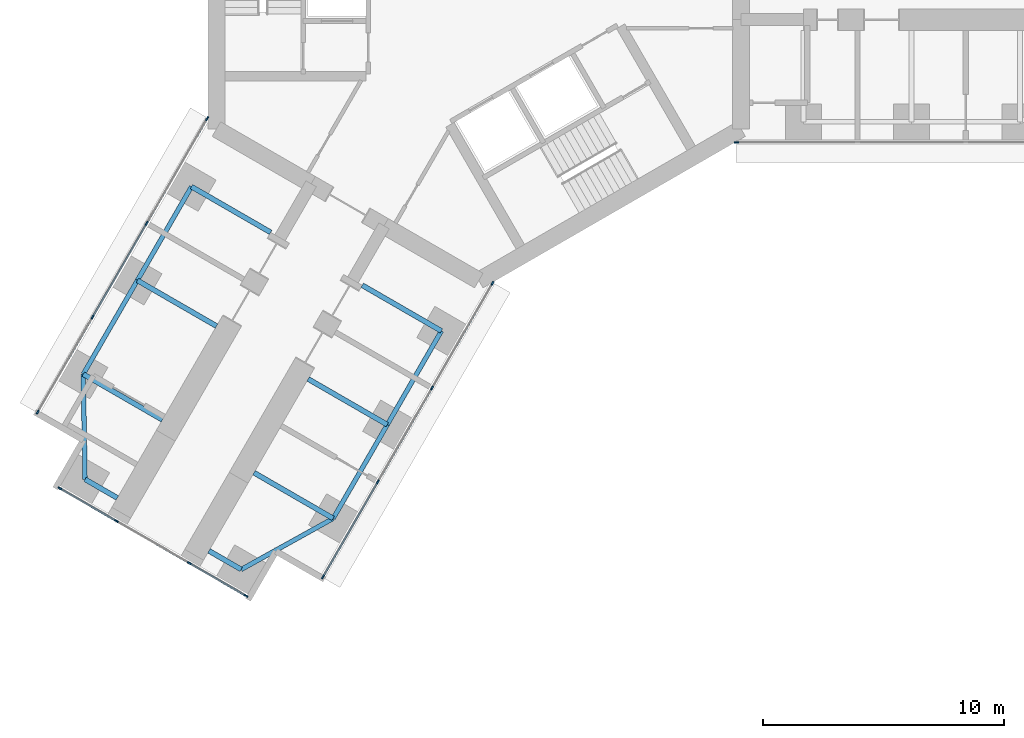
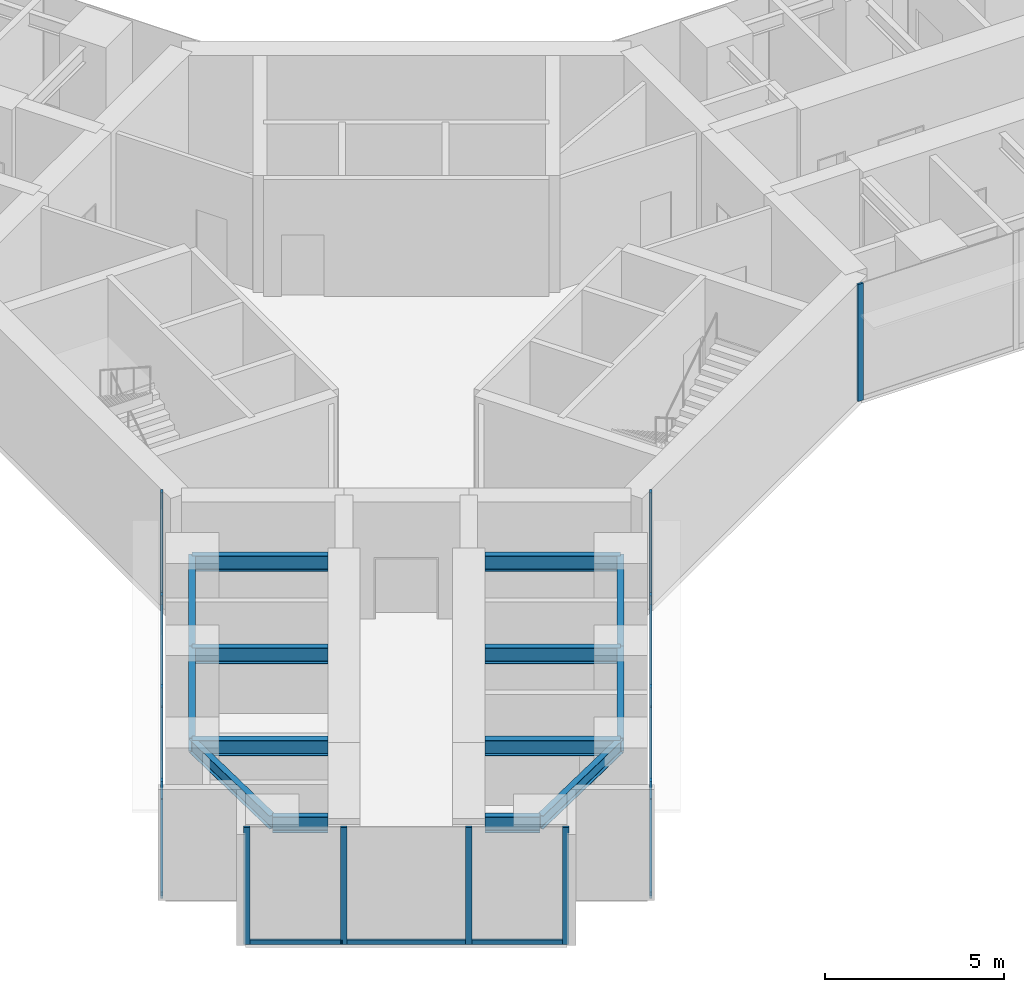
# One storey, part 2 of 22: 22 members, 14 beams, 4 elements without a shape of their own.
"""IFC4 building model written with IfcOpenShell, lengths in metres."""

import ifcopenshell
import ifcopenshell.guid

model = None  # the IFC model being written
_history = None  # IfcOwnerHistory: only IFC2X3 demands one
_inside = {}  # id of a spatial element -> (the spatial element, [elements in it])
_under = {}  # id of a project, library or spatial element -> (it, [spatial elements below it])
_declared = {}  # id of a project -> (the project, [libraries it declares])
_typed = {}  # id of a type object -> (the type object, [elements of that type])
_made_of = {}  # id of a material, layer set ... -> (it, [elements and type objects made of it])


def new_model(schema):
    """Start an empty IFC model of exactly this schema.

    Asked for "IFC4X3", IfcOpenShell would pick the latest addendum, in which some entities
    have other attributes; the version numbers below select the first issue.
    IFC2X3 requires an IfcOwnerHistory on every rooted entity: one is made here for all.
    """
    global model, _history
    if schema == "IFC4X3":
        model = ifcopenshell.file(schema_version=(4, 3, 0, 0))
    else:
        model = ifcopenshell.file(schema=schema)
    _inside.clear()
    _under.clear()
    _declared.clear()
    _typed.clear()
    _made_of.clear()
    _history = None
    if model.schema == "IFC2X3":
        org = make("IfcOrganization", Name="unknown")
        user = make(
            "IfcPersonAndOrganization",
            ThePerson=make("IfcPerson", FamilyName="unknown"),
            TheOrganization=org,
        )
        app = make(
            "IfcApplication",
            ApplicationDeveloper=org,
            Version="unknown",
            ApplicationFullName="unknown",
            ApplicationIdentifier="unknown",
        )
        _history = make(
            "IfcOwnerHistory",
            OwningUser=user,
            OwningApplication=app,
            ChangeAction="ADDED",
            CreationDate=0,
        )
    return model


def make(cls, **values):
    """One entity of the class cls with the attributes given. An attribute that is None is left unset."""
    return model.create_entity(
        cls, **{name: value for name, value in values.items() if value is not None}
    )


def rooted(cls, **values):
    """An entity with a GlobalId (a new one), such as an element, a storey or a relation."""
    return make(cls, GlobalId=ifcopenshell.guid.new(), OwnerHistory=_history, **values)


def si_unit(unit_type, name, prefix=None):
    """IfcSIUnit, for example si_unit("LENGTHUNIT", "METRE", prefix="MILLI")."""
    return make("IfcSIUnit", UnitType=unit_type, Prefix=prefix, Name=name)


def assignment(units):
    """IfcUnitAssignment: the units of a project."""
    return None if units is None else make("IfcUnitAssignment", Units=units)


def point(xyz):
    """IfcCartesianPoint."""
    return None if xyz is None else make("IfcCartesianPoint", Coordinates=xyz)


def direction(xyz):
    """IfcDirection."""
    return None if xyz is None else make("IfcDirection", DirectionRatios=xyz)


def frame(location, z_axis=None, x_axis=None):
    """IfcAxis2Placement3D, a coordinate frame: its origin and axes. An axis left out is left unset."""
    return make(
        "IfcAxis2Placement3D",
        Location=point(location),
        Axis=direction(z_axis),
        RefDirection=direction(x_axis),
    )


def frame_2d(location, x_axis=None):
    """IfcAxis2Placement2D, a coordinate frame in the plane: its origin and x axis."""
    return make(
        "IfcAxis2Placement2D", Location=point(location), RefDirection=direction(x_axis)
    )


def origin():
    """The frame at (0, 0, 0) with its axes left unset."""
    return frame((0.0, 0.0, 0.0))


def origin_2d():
    """The frame at (0, 0) in the plane with its x axis left unset."""
    return frame_2d((0.0, 0.0))


def place(relative_to, where):
    """IfcLocalPlacement: puts the frame where relative to a parent placement (None: the world)."""
    return make(
        "IfcLocalPlacement", PlacementRelTo=relative_to, RelativePlacement=where
    )


def context(
    kind, dimensions, precision=None, world=None, true_north=None, identifier=None
):
    """IfcGeometricRepresentationContext, for example the 3D "Model" context."""
    return make(
        "IfcGeometricRepresentationContext",
        ContextIdentifier=identifier,
        ContextType=kind,
        CoordinateSpaceDimension=dimensions,
        Precision=precision,
        WorldCoordinateSystem=world,
        TrueNorth=true_north,
    )


def subcontext(parent, identifier, kind, view, scale=None):
    """IfcGeometricRepresentationSubContext, for example "Body" below "Model"."""
    return make(
        "IfcGeometricRepresentationSubContext",
        ContextIdentifier=identifier,
        ContextType=kind,
        ParentContext=parent,
        TargetScale=scale,
        TargetView=view,
    )


def project(units=None, contexts=None):
    """IfcProject with its units and contexts."""
    return rooted(
        "IfcProject",
        Name="project",
        RepresentationContexts=contexts,
        UnitsInContext=assignment(units),
    )


def spatial(cls, under=None, at=None, **own):
    """A site, building, storey or space (cls), placed at a placement, below another one or the project."""
    s = rooted(cls, ObjectPlacement=at, **own)
    if under is not None:
        _under.setdefault(under.id(), (under, []))[1].append(s)
    return s


def profile(cls, at=None, kind="AREA", **sizes):
    """A parametric profile (cls). Its sizes go by their IFC names, for example OverallWidth=200.0."""
    return make(cls, ProfileType=kind, Position=at, **sizes)


def rectangle(**sizes):
    """IfcRectangleProfileDef."""
    return profile("IfcRectangleProfileDef", **sizes)


def i_section(**sizes):
    """IfcIShapeProfileDef."""
    return profile("IfcIShapeProfileDef", **sizes)


def extrude(swept, where, along, depth):
    """IfcExtrudedAreaSolid: the profile swept, set in the frame where, extruded along a direction by depth."""
    return make(
        "IfcExtrudedAreaSolid",
        SweptArea=swept,
        Position=where,
        ExtrudedDirection=direction(along),
        Depth=depth,
    )


def shape(context_of_items, identifier, shape_type, items):
    """IfcShapeRepresentation: the items that make up one representation, for example the "Body"."""
    return make(
        "IfcShapeRepresentation",
        ContextOfItems=context_of_items,
        RepresentationIdentifier=identifier,
        RepresentationType=shape_type,
        Items=items,
    )


def material(Name=None, Category=None):
    """IfcMaterial."""
    return make("IfcMaterial", Name=Name, Category=Category)


def material_profile(
    of_material, cross_section, Name=None, Category=None, Priority=None
):
    """IfcMaterialProfile: a cross section and its material."""
    return make(
        "IfcMaterialProfile",
        Name=Name,
        Material=of_material,
        Profile=cross_section,
        Priority=Priority,
        Category=Category,
    )


def profile_set(profiles, Name=None, composite=None):
    """IfcMaterialProfileSet."""
    return make(
        "IfcMaterialProfileSet",
        Name=Name,
        MaterialProfiles=profiles,
        CompositeProfile=composite,
    )


def made_of(thing, what):
    """Note that an element or type object is made of a material, layer set ...; save() writes the relation."""
    if what is not None:
        _made_of.setdefault(what.id(), (what, []))[1].append(thing)
    return thing


def type_object(cls, material=None, **own):
    """A type object (cls), such as IfcWallType, which elements share."""
    return made_of(rooted(cls, **own), material)


def element(
    cls,
    number,
    at=None,
    inside=None,
    cuts=None,
    type_object=None,
    material=None,
    context=None,
    identifier="Body",
    shape_type=None,
    held_by="IfcProductDefinitionShape",
    body=None,
    shapes=None,
    **own,
):
    """One element of the class cls, such as IfcWall. Its Tag is "e" and its number.

    at: its placement. inside: the storey or other place that contains it. cuts: it is an
    opening in that element (IfcRelVoidsElement). A single representation is given by context,
    identifier, shape_type and body (its items); several are given by shapes. held_by: the class
    of the entity that holds the representations. save() writes the other relations.
    """
    e = rooted(cls, Tag="e%d" % number, ObjectPlacement=at, **own)
    if body is not None:
        shapes = [shape(context, identifier, shape_type, body)]
    if shapes is not None:
        e.Representation = make(held_by, Representations=shapes)
    if inside is not None:
        _inside.setdefault(inside.id(), (inside, []))[1].append(e)
    if cuts is not None:
        rooted(
            "IfcRelVoidsElement", RelatingBuildingElement=cuts, RelatedOpeningElement=e
        )
    if type_object is not None:
        _typed.setdefault(type_object.id(), (type_object, []))[1].append(e)
    return made_of(e, material)


def aggregate(whole, parts):
    """IfcRelAggregates: a whole, such as a stair, and the parts it consists of."""
    return rooted("IfcRelAggregates", RelatingObject=whole, RelatedObjects=parts)


def save(model, path):
    """Write the relations noted so far, then the file.

    IfcRelAggregates (storeys below a building ...), IfcRelContainedInSpatialStructure (elements
    in a storey), IfcRelDefinesByType, IfcRelAssociatesMaterial and IfcRelDeclares: one each for
    every whole, place, type object, material and project.
    """
    for whole, parts in _under.values():
        aggregate(whole, parts)
    for where, things in _inside.values():
        rooted(
            "IfcRelContainedInSpatialStructure",
            RelatedElements=things,
            RelatingStructure=where,
        )
    for kind, things in _typed.values():
        rooted("IfcRelDefinesByType", RelatedObjects=things, RelatingType=kind)
    for what, things in _made_of.values():
        rooted("IfcRelAssociatesMaterial", RelatedObjects=things, RelatingMaterial=what)
    for by, libraries in _declared.values():
        rooted("IfcRelDeclares", RelatingContext=by, RelatedDefinitions=libraries)
    model.write(path)


model = new_model("IFC4")

# Units and contexts
model_context = context("Model", 3, precision=1e-05, world=origin(), true_north=direction((0.0, 1.0)))
body_context = subcontext(model_context, "Body", "Model", "MODEL_VIEW")
ifc_project = project(units=[si_unit("LENGTHUNIT", "METRE"), si_unit("AREAUNIT", "SQUARE_METRE"), si_unit("VOLUMEUNIT", "CUBIC_METRE"), si_unit("PLANEANGLEUNIT", "RADIAN"), si_unit("MASSUNIT", "GRAM", prefix="KILO")], contexts=[model_context])

# Site, building, storey
site_placement = place(None, origin())
site = spatial("IfcSite", under=ifc_project, at=site_placement, CompositionType="ELEMENT")
building_placement = place(site_placement, origin())
building = spatial("IfcBuilding", under=site, at=building_placement, Name="Upepo Twin Towers", CompositionType="ELEMENT")
storey_placement = place(building_placement, frame((0.0, 0.0, 36.5)))
storey = spatial("IfcBuildingStorey", under=building, at=storey_placement, Name="L08", CompositionType="ELEMENT", Elevation=36.5)

# Beams
ifc_material_1 = material(Name="Steel S355", Category="steel")
ifc_material_profile_1 = material_profile(ifc_material_1, i_section(OverallWidth=0.1904296875, OverallDepth=0.45703125, WebThickness=0.009033203125, FlangeThickness=0.014404296875, FilletRadius=0.01025390625, at=origin_2d()), Name="UB 457x191x74")
ifc_profile_set_1 = profile_set([ifc_material_profile_1], Name="Steel S355")
beam_type_1 = type_object("IfcBeamType", Name="Beam UB 457x191x74", PredefinedType="BEAM", material=ifc_profile_set_1)
beam_1_placement = place(storey_placement, frame((-1.553955078125, -14.69140625, 3.571533203125), z_axis=(-0.500013631625, -0.866017533419, 0.0), x_axis=(0.866017533419, -0.500013631625, 0.0)))
element("IfcBeam", 1, at=beam_1_placement, inside=storey, type_object=beam_type_1, Name="T1 edge beam CL 13.5-18.0", PredefinedType="BEAM", context=body_context, shape_type="SweptSolid", body=[
    extrude(i_section(OverallWidth=0.1904296875, OverallDepth=0.45703125, WebThickness=0.009033203125, FlangeThickness=0.014404296875, FilletRadius=0.01025390625, at=origin_2d()), origin(), (0.0, 0.0, 1.0), 4.499755859375),
])
beam_2_placement = place(storey_placement, frame((-3.803955078125, -18.58837890625, 3.571533203125), z_axis=(-0.499990139034, -0.866031096941, 0.0), x_axis=(0.866031096941, -0.499990139034, 0.0)))
element("IfcBeam", 2, at=beam_2_placement, inside=storey, type_object=beam_type_1, Name="T1 edge beam CL 18.0-22.5", PredefinedType="BEAM", context=body_context, shape_type="SweptSolid", body=[
    extrude(i_section(OverallWidth=0.1904296875, OverallDepth=0.45703125, WebThickness=0.009033203125, FlangeThickness=0.014404296875, FilletRadius=0.01025390625, at=origin_2d()), origin(), (0.0, 0.0, 1.0), 4.5),
])
beam_3_placement = place(storey_placement, frame((-6.053955078125, -22.485595703125, 3.571533203125), z_axis=(-0.874312600038, -0.485363242752, 0.0), x_axis=(0.485363242752, -0.874312600038, 0.0)))
element("IfcBeam", 3, at=beam_3_placement, inside=storey, type_object=beam_type_1, Name="T1 nose edge beam CL", PredefinedType="BEAM", context=body_context, shape_type="SweptSolid", body=[
    extrude(i_section(OverallWidth=0.1904296875, OverallDepth=0.45703125, WebThickness=0.009033203125, FlangeThickness=0.014404296875, FilletRadius=0.01025390625, at=origin_2d()), origin(), (0.0, 0.0, 1.0), 4.373046875),
])
beam_4_placement = place(storey_placement, frame((-11.946044921875, -8.69140625, 3.571533203125), z_axis=(-0.500013631625, -0.866017533419, 0.0), x_axis=(0.866017533419, -0.500013631625, 0.0)))
element("IfcBeam", 4, at=beam_4_placement, inside=storey, type_object=beam_type_1, Name="T1 edge beam CR 13.5-18.0", PredefinedType="BEAM", context=body_context, shape_type="SweptSolid", body=[
    extrude(i_section(OverallWidth=0.1904296875, OverallDepth=0.45703125, WebThickness=0.009033203125, FlangeThickness=0.014404296875, FilletRadius=0.01025390625, at=origin_2d()), origin(), (0.0, 0.0, 1.0), 4.499755859375),
])
beam_5_placement = place(storey_placement, frame((-14.196044921875, -12.58837890625, 3.571533203125), z_axis=(-0.499990139034, -0.866031096941, 0.0), x_axis=(0.866031096941, -0.499990139034, 0.0)))
element("IfcBeam", 5, at=beam_5_placement, inside=storey, type_object=beam_type_1, Name="T1 edge beam CR 18.0-22.5", PredefinedType="BEAM", context=body_context, shape_type="SweptSolid", body=[
    extrude(i_section(OverallWidth=0.1904296875, OverallDepth=0.45703125, WebThickness=0.009033203125, FlangeThickness=0.014404296875, FilletRadius=0.01025390625, at=origin_2d()), origin(), (0.0, 0.0, 1.0), 4.5),
])
beam_6_placement = place(storey_placement, frame((-16.446044921875, -16.485595703125, 3.571533203125), z_axis=(0.016803880528, -0.999858804832, 0.0), x_axis=(0.999858804832, 0.016803880528, 0.0)))
element("IfcBeam", 6, at=beam_6_placement, inside=storey, type_object=beam_type_1, Name="T1 nose edge beam CR", PredefinedType="BEAM", context=body_context, shape_type="SweptSolid", body=[
    extrude(i_section(OverallWidth=0.1904296875, OverallDepth=0.45703125, WebThickness=0.009033203125, FlangeThickness=0.014404296875, FilletRadius=0.01025390625, at=origin_2d()), origin(), (0.0, 0.0, 1.0), 4.373291015625),
])
ifc_material_2 = material(Name="Steel S355", Category="steel")
ifc_material_profile_2 = material_profile(ifc_material_2, i_section(OverallWidth=0.2099609375, OverallDepth=0.53662109375, WebThickness=0.0107421875, FlangeThickness=0.017333984375, FilletRadius=0.0126953125, at=origin_2d()), Name="UB 533x210x101")
ifc_profile_set_2 = profile_set([ifc_material_profile_2], Name="Steel S355")
beam_type_2 = type_object("IfcBeamType", Name="Beam UB 533x210x101", PredefinedType="BEAM", material=ifc_profile_set_2)
for number, where, z_axis, x_axis, name in (
    (7, (-9.87744140625, -24.608154296875, 3.53173828125), (-0.866043940782, 0.499967891604, 0.0), (-0.499967891604, -0.866043940782, 0.0), "T1 nose beam CL"),
    (8, (-16.37255859375, -20.858154296875, 3.53173828125), (0.866043940782, -0.499967891604, 0.0), (0.499967891604, 0.866043940782, 0.0), "T1 nose beam CR"),
):
    element("IfcBeam", number, at=place(storey_placement, frame(where, z_axis=z_axis, x_axis=x_axis)), inside=storey, type_object=beam_type_2, Name=name, PredefinedType="BEAM", context=body_context, shape_type="SweptSolid", body=[
        extrude(i_section(OverallWidth=0.2099609375, OverallDepth=0.53662109375, WebThickness=0.0107421875, FlangeThickness=0.017333984375, FilletRadius=0.0126953125, at=origin_2d()), origin(), (0.0, 0.0, 1.0), 1.5498046875),
    ])
ifc_material_3 = material(Name="Steel S355", Category="steel")
ifc_material_profile_3 = material_profile(ifc_material_3, i_section(OverallWidth=0.209228515625, OverallDepth=0.533203125, WebThickness=0.010009765625, FlangeThickness=0.015625, FilletRadius=0.0126953125, at=origin_2d()), Name="UB 533x210x92")
ifc_profile_set_3 = profile_set([ifc_material_profile_3], Name="Steel S355")
beam_type_3 = type_object("IfcBeamType", Name="Beam UB 533x210x92", PredefinedType="BEAM", material=ifc_profile_set_3)
beam_7_placement = place(storey_placement, frame((-1.553955078125, -14.69140625, 3.533447265625), z_axis=(-0.866000483506, 0.500043160704, 0.0), x_axis=(-0.500043160704, -0.866000483506, 0.0)))
element("IfcBeam", 9, at=beam_7_placement, inside=storey, type_object=beam_type_3, Name="T1 girder CL at 13.5", PredefinedType="BEAM", context=body_context, shape_type="SweptSolid", body=[
    extrude(i_section(OverallWidth=0.209228515625, OverallDepth=0.533203125, WebThickness=0.010009765625, FlangeThickness=0.015625, FilletRadius=0.0126953125, at=origin_2d()), origin(), (0.0, 0.0, 1.0), 3.800048828125),
])
for number, where, z_axis, x_axis, name in (
    (10, (-3.803955078125, -18.58837890625, 3.533447265625), (-0.866028304915, 0.499994975061, 0.0), (-0.499994975061, -0.866028304915, 0.0), "T1 girder CL at 18.0"),
    (11, (-6.053955078125, -22.485595703125, 3.533447265625), (-0.866028304915, 0.499994975061, 0.0), (-0.499994975061, -0.866028304915, 0.0), "T1 girder CL at 22.5"),
    (12, (-11.946044921875, -8.69140625, 3.533447265625), (0.866028304915, -0.499994975061, 0.0), (0.499994975061, 0.866028304915, 0.0), "T1 girder CR at 13.5"),
):
    element("IfcBeam", number, at=place(storey_placement, frame(where, z_axis=z_axis, x_axis=x_axis)), inside=storey, type_object=beam_type_3, Name=name, PredefinedType="BEAM", context=body_context, shape_type="SweptSolid", body=[
        extrude(i_section(OverallWidth=0.209228515625, OverallDepth=0.533203125, WebThickness=0.010009765625, FlangeThickness=0.015625, FilletRadius=0.0126953125, at=origin_2d()), origin(), (0.0, 0.0, 1.0), 3.7998046875),
    ])
beam_8_placement = place(storey_placement, frame((-14.196044921875, -12.58837890625, 3.533447265625), z_axis=(0.866000483506, -0.500043160704, 0.0), x_axis=(0.500043160704, 0.866000483506, 0.0)))
element("IfcBeam", 13, at=beam_8_placement, inside=storey, type_object=beam_type_3, Name="T1 girder CR at 18.0", PredefinedType="BEAM", context=body_context, shape_type="SweptSolid", body=[
    extrude(i_section(OverallWidth=0.209228515625, OverallDepth=0.533203125, WebThickness=0.010009765625, FlangeThickness=0.015625, FilletRadius=0.0126953125, at=origin_2d()), origin(), (0.0, 0.0, 1.0), 3.800048828125),
])
beam_9_placement = place(storey_placement, frame((-16.446044921875, -16.485595703125, 3.533447265625), z_axis=(0.866028304915, -0.499994975061, 0.0), x_axis=(0.499994975061, 0.866028304915, 0.0)))
element("IfcBeam", 14, at=beam_9_placement, inside=storey, type_object=beam_type_3, Name="T1 girder CR at 22.5", PredefinedType="BEAM", context=body_context, shape_type="SweptSolid", body=[
    extrude(i_section(OverallWidth=0.209228515625, OverallDepth=0.533203125, WebThickness=0.010009765625, FlangeThickness=0.015625, FilletRadius=0.0126953125, at=origin_2d()), origin(), (0.0, 0.0, 1.0), 3.7998046875),
])

# Curtain wall, member
ifc_material_4 = material(Name="Aluminium and fritted glass", Category="aluminium")
curtain_wall_type = type_object("IfcCurtainWallType", Name="Tower curtain wall TW1, fritted glass", PredefinedType="NOTDEFINED", material=ifc_material_4)
curtain_wall_1_placement = place(storey_placement, origin())
curtain_wall_1 = element("IfcCurtainWall", 15, at=curtain_wall_1_placement, inside=storey, type_object=curtain_wall_type, Name="T1 L08 wing A flank R curtain wall", PredefinedType="NOTDEFINED")
ifc_material_5 = material(Name="Aluminium mullion", Category="aluminium")
ifc_material_profile_4 = material_profile(ifc_material_5, rectangle(XDim=0.06494140625, YDim=0.179931640625, at=origin_2d()), Name="MULLION 65x180")
ifc_profile_set_4 = profile_set([ifc_material_profile_4], Name="Aluminium mullion")
member_type_1 = type_object("IfcMemberType", Name="Mullion 65x180 TW1", PredefinedType="MULLION", material=ifc_profile_set_4)
member_1_placement = place(storey_placement, frame((10.7197265625, -6.85009765625, 0.0), z_axis=(0.0, 0.0, 1.0), x_axis=(0.0, -1.0, 0.0)))
member_1 = element("IfcMember", 16, at=member_1_placement, type_object=member_type_1, Name="T1 L08 wing A flank R curtain wall mullion 4", PredefinedType="MULLION", context=body_context, shape_type="SweptSolid", body=[
    extrude(rectangle(XDim=0.06494140625, YDim=0.179931640625, at=origin_2d()), origin(), (0.0, 0.0, 1.0), 4.0),
])
aggregate(curtain_wall_1, [member_1])

# Curtain wall, members
curtain_wall_2_placement = place(storey_placement, origin())
curtain_wall_2 = element("IfcCurtainWall", 17, at=curtain_wall_2_placement, inside=storey, type_object=curtain_wall_type, Name="T1 L08 wing C flank L curtain wall", PredefinedType="NOTDEFINED")
member_2_placement = place(storey_placement, frame((0.572509765625, -12.70849609375, 0.0), z_axis=(0.0, 0.0, 1.0), x_axis=(0.866025389682, -0.500000024426, 0.0)))
member_2 = element("IfcMember", 18, at=member_2_placement, type_object=member_type_1, Name="T1 L08 wing C flank L curtain wall mullion 1", PredefinedType="MULLION", context=body_context, shape_type="SweptSolid", body=[
    extrude(rectangle(XDim=0.06494140625, YDim=0.179931640625, at=origin_2d()), origin(), (0.0, 0.0, 1.0), 4.0),
])
member_3_placement = place(storey_placement, frame((-1.942626953125, -17.06494140625, 0.0), z_axis=(0.0, 0.0, 1.0), x_axis=(0.866025389682, -0.500000024426, 0.0)))
member_3 = element("IfcMember", 19, at=member_3_placement, type_object=member_type_1, Name="T1 L08 wing C flank L curtain wall mullion 2", PredefinedType="MULLION", context=body_context, shape_type="SweptSolid", body=[
    extrude(rectangle(XDim=0.06494140625, YDim=0.179931640625, at=origin_2d()), origin(), (0.0, 0.0, 1.0), 4.0),
])
member_4_placement = place(storey_placement, frame((-4.192626953125, -20.9619140625, 0.0), z_axis=(0.0, 0.0, 1.0), x_axis=(0.866025389682, -0.500000024426, 0.0)))
member_4 = element("IfcMember", 20, at=member_4_placement, type_object=member_type_1, Name="T1 L08 wing C flank L curtain wall mullion 3", PredefinedType="MULLION", context=body_context, shape_type="SweptSolid", body=[
    extrude(rectangle(XDim=0.06494140625, YDim=0.179931640625, at=origin_2d()), origin(), (0.0, 0.0, 1.0), 4.0),
])
member_5_placement = place(storey_placement, frame((-6.4765625, -24.91748046875, 0.0), z_axis=(0.0, 0.0, 1.0), x_axis=(0.866025389682, -0.500000024426, 0.0)))
member_5 = element("IfcMember", 21, at=member_5_placement, type_object=member_type_1, Name="T1 L08 wing C flank L curtain wall mullion 4", PredefinedType="MULLION", context=body_context, shape_type="SweptSolid", body=[
    extrude(rectangle(XDim=0.06494140625, YDim=0.179931640625, at=origin_2d()), origin(), (0.0, 0.0, 1.0), 4.0),
])

curtain_wall_3_placement = place(storey_placement, origin())
curtain_wall_3 = element("IfcCurtainWall", 22, at=curtain_wall_3_placement, inside=storey, type_object=curtain_wall_type, Name="T1 L08 wing C flank R curtain wall", PredefinedType="NOTDEFINED")
member_6_placement = place(storey_placement, frame((-18.341064453125, -18.067626953125, 0.0), z_axis=(0.0, 0.0, 1.0), x_axis=(-0.866025389682, 0.500000024426, 0.0)))
member_6 = element("IfcMember", 23, at=member_6_placement, type_object=member_type_1, Name="T1 L08 wing C flank R curtain wall mullion 1", PredefinedType="MULLION", context=body_context, shape_type="SweptSolid", body=[
    extrude(rectangle(XDim=0.06494140625, YDim=0.179931640625, at=origin_2d()), origin(), (0.0, 0.0, 1.0), 4.0),
])
member_7_placement = place(storey_placement, frame((-16.057373046875, -14.112060546875, 0.0), z_axis=(0.0, 0.0, 1.0), x_axis=(-0.866025389682, 0.500000024426, 0.0)))
member_7 = element("IfcMember", 24, at=member_7_placement, type_object=member_type_1, Name="T1 L08 wing C flank R curtain wall mullion 2", PredefinedType="MULLION", context=body_context, shape_type="SweptSolid", body=[
    extrude(rectangle(XDim=0.06494140625, YDim=0.179931640625, at=origin_2d()), origin(), (0.0, 0.0, 1.0), 4.0),
])
member_8_placement = place(storey_placement, frame((-13.807373046875, -10.21484375, 0.0), z_axis=(0.0, 0.0, 1.0), x_axis=(-0.866025389682, 0.500000024426, 0.0)))
member_8 = element("IfcMember", 25, at=member_8_placement, type_object=member_type_1, Name="T1 L08 wing C flank R curtain wall mullion 3", PredefinedType="MULLION", context=body_context, shape_type="SweptSolid", body=[
    extrude(rectangle(XDim=0.06494140625, YDim=0.179931640625, at=origin_2d()), origin(), (0.0, 0.0, 1.0), 4.0),
])
member_9_placement = place(storey_placement, frame((-11.2919921875, -5.8583984375, 0.0), z_axis=(0.0, 0.0, 1.0), x_axis=(-0.866025389682, 0.500000024426, 0.0)))
member_9 = element("IfcMember", 26, at=member_9_placement, type_object=member_type_1, Name="T1 L08 wing C flank R curtain wall mullion 4", PredefinedType="MULLION", context=body_context, shape_type="SweptSolid", body=[
    extrude(rectangle(XDim=0.06494140625, YDim=0.179931640625, at=origin_2d()), origin(), (0.0, 0.0, 1.0), 4.0),
])

curtain_wall_4_placement = place(storey_placement, origin())
curtain_wall_4 = element("IfcCurtainWall", 27, at=curtain_wall_4_placement, inside=storey, type_object=curtain_wall_type, Name="T1 L08 wing C nose curtain wall", PredefinedType="NOTDEFINED")
member_10_placement = place(storey_placement, frame((-17.4189453125, -21.235595703125, 0.0), z_axis=(0.0, 0.0, 1.0), x_axis=(0.500000030502, 0.866025386174, 0.0)))
member_10 = element("IfcMember", 28, at=member_10_placement, type_object=member_type_1, Name="T1 L08 wing C nose curtain wall mullion 1", PredefinedType="MULLION", context=body_context, shape_type="SweptSolid", body=[
    extrude(rectangle(XDim=0.06494140625, YDim=0.179931640625, at=origin_2d()), origin(), (0.0, 0.0, 1.0), 4.0),
])
member_11_placement = place(storey_placement, frame((-15.0654296875, -22.59423828125, 0.0), z_axis=(0.0, 0.0, 1.0), x_axis=(0.500000030502, 0.866025386174, 0.0)))
member_11 = element("IfcMember", 29, at=member_11_placement, type_object=member_type_1, Name="T1 L08 wing C nose curtain wall mullion 2", PredefinedType="MULLION", context=body_context, shape_type="SweptSolid", body=[
    extrude(rectangle(XDim=0.06494140625, YDim=0.179931640625, at=origin_2d()), origin(), (0.0, 0.0, 1.0), 4.0),
])
member_12_placement = place(storey_placement, frame((-12.034423828125, -24.34423828125, 0.0), z_axis=(0.0, 0.0, 1.0), x_axis=(0.500000030502, 0.866025386174, 0.0)))
member_12 = element("IfcMember", 30, at=member_12_placement, type_object=member_type_1, Name="T1 L08 wing C nose curtain wall mullion 3", PredefinedType="MULLION", context=body_context, shape_type="SweptSolid", body=[
    extrude(rectangle(XDim=0.06494140625, YDim=0.179931640625, at=origin_2d()), origin(), (0.0, 0.0, 1.0), 4.0),
])
member_13_placement = place(storey_placement, frame((-9.68115234375, -25.703125, 0.0), z_axis=(0.0, 0.0, 1.0), x_axis=(0.500000030502, 0.866025386174, 0.0)))
member_13 = element("IfcMember", 31, at=member_13_placement, type_object=member_type_1, Name="T1 L08 wing C nose curtain wall mullion 4", PredefinedType="MULLION", context=body_context, shape_type="SweptSolid", body=[
    extrude(rectangle(XDim=0.06494140625, YDim=0.179931640625, at=origin_2d()), origin(), (0.0, 0.0, 1.0), 4.0),
])

# Member
ifc_material_6 = material(Name="Aluminium transom", Category="aluminium")
ifc_material_profile_5 = material_profile(ifc_material_6, rectangle(XDim=0.06494140625, YDim=0.14990234375, at=origin_2d()), Name="TRANSOM 65x150")
ifc_profile_set_5 = profile_set([ifc_material_profile_5], Name="Aluminium transom")
member_type_2 = type_object("IfcMemberType", Name="Transom 65x150 TW1", PredefinedType="USERDEFINED", material=ifc_profile_set_5)
member_14_placement = place(storey_placement, frame((0.55615234375, -12.736572265625, 0.074951171875), z_axis=(-0.499983492876, -0.866034933967, 0.0), x_axis=(0.866034933967, -0.499983492876, 0.0)))
member_14 = element("IfcMember", 32, at=member_14_placement, type_object=member_type_2, Name="T1 L08 wing C flank L curtain wall transom 1", ObjectType="TRANSOM", PredefinedType="USERDEFINED", context=body_context, shape_type="SweptSolid", body=[
    extrude(rectangle(XDim=0.06494140625, YDim=0.14990234375, at=origin_2d()), origin(), (0.0, 0.0, 1.0), 4.965576171875),
])

member_15_placement = place(storey_placement, frame((-1.958984375, -17.093017578125, 0.074951171875), z_axis=(-0.500005184116, -0.866022410713, 0.0), x_axis=(0.866022410713, -0.500005184116, 0.0)))
member_15 = element("IfcMember", 33, at=member_15_placement, type_object=member_type_2, Name="T1 L08 wing C flank L curtain wall transom 2", ObjectType="TRANSOM", PredefinedType="USERDEFINED", context=body_context, shape_type="SweptSolid", body=[
    extrude(rectangle(XDim=0.06494140625, YDim=0.14990234375, at=origin_2d()), origin(), (0.0, 0.0, 1.0), 4.43505859375),
])

member_16_placement = place(storey_placement, frame((-4.208984375, -20.990234375, 0.074951171875), z_axis=(-0.500005646842, -0.866022143554, 0.0), x_axis=(0.866022143554, -0.500005646842, 0.0)))
member_16 = element("IfcMember", 34, at=member_16_placement, type_object=member_type_2, Name="T1 L08 wing C flank L curtain wall transom 3", ObjectType="TRANSOM", PredefinedType="USERDEFINED", context=body_context, shape_type="SweptSolid", body=[
    extrude(rectangle(XDim=0.06494140625, YDim=0.14990234375, at=origin_2d()), origin(), (0.0, 0.0, 1.0), 4.50244140625),
])

aggregate(curtain_wall_2, [member_2, member_3, member_4, member_5, member_14, member_15, member_16])

member_17_placement = place(storey_placement, frame((-18.32470703125, -18.03955078125, 0.074951171875), z_axis=(0.499982167615, 0.866035699072, 0.0), x_axis=(-0.866035699072, 0.499982167615, 0.0)))
member_17 = element("IfcMember", 35, at=member_17_placement, type_object=member_type_2, Name="T1 L08 wing C flank R curtain wall transom 1", ObjectType="TRANSOM", PredefinedType="USERDEFINED", context=body_context, shape_type="SweptSolid", body=[
    extrude(rectangle(XDim=0.06494140625, YDim=0.14990234375, at=origin_2d()), origin(), (0.0, 0.0, 1.0), 4.502685546875),
])

member_18_placement = place(storey_placement, frame((-16.041015625, -14.083984375, 0.074951171875), z_axis=(0.500005184116, 0.866022410713, 0.0), x_axis=(-0.866022410713, 0.500005184116, 0.0)))
member_18 = element("IfcMember", 36, at=member_18_placement, type_object=member_type_2, Name="T1 L08 wing C flank R curtain wall transom 2", ObjectType="TRANSOM", PredefinedType="USERDEFINED", context=body_context, shape_type="SweptSolid", body=[
    extrude(rectangle(XDim=0.06494140625, YDim=0.14990234375, at=origin_2d()), origin(), (0.0, 0.0, 1.0), 4.43505859375),
])

member_19_placement = place(storey_placement, frame((-13.791015625, -10.186767578125, 0.074951171875), z_axis=(0.50000478328, 0.866022642139, 0.0), x_axis=(-0.866022642139, 0.50000478328, 0.0)))
member_19 = element("IfcMember", 37, at=member_19_placement, type_object=member_type_2, Name="T1 L08 wing C flank R curtain wall transom 3", ObjectType="TRANSOM", PredefinedType="USERDEFINED", context=body_context, shape_type="SweptSolid", body=[
    extrude(rectangle(XDim=0.06494140625, YDim=0.14990234375, at=origin_2d()), origin(), (0.0, 0.0, 1.0), 4.96533203125),
])

aggregate(curtain_wall_3, [member_6, member_7, member_8, member_9, member_17, member_18, member_19])

member_20_placement = place(storey_placement, frame((-17.390869140625, -21.251708984375, 0.074951171875), z_axis=(0.865997053448, -0.500049101008, 0.0), x_axis=(0.500049101008, 0.865997053448, 0.0)))
member_20 = element("IfcMember", 38, at=member_20_placement, type_object=member_type_2, Name="T1 L08 wing C nose curtain wall transom 1", ObjectType="TRANSOM", PredefinedType="USERDEFINED", context=body_context, shape_type="SweptSolid", body=[
    extrude(rectangle(XDim=0.06494140625, YDim=0.14990234375, at=origin_2d()), origin(), (0.0, 0.0, 1.0), 2.652587890625),
])

member_21_placement = place(storey_placement, frame((-15.037353515625, -22.610595703125, 0.074951171875), z_axis=(0.866025804792, -0.499999305434, 0.0), x_axis=(0.499999305434, 0.866025804792, 0.0)))
member_21 = element("IfcMember", 39, at=member_21_placement, type_object=member_type_2, Name="T1 L08 wing C nose curtain wall transom 2", ObjectType="TRANSOM", PredefinedType="USERDEFINED", context=body_context, shape_type="SweptSolid", body=[
    extrude(rectangle(XDim=0.06494140625, YDim=0.14990234375, at=origin_2d()), origin(), (0.0, 0.0, 1.0), 3.43505859375),
])

member_22_placement = place(storey_placement, frame((-12.00634765625, -24.360595703125, 0.074951171875), z_axis=(0.866036909293, -0.499980071345, 0.0), x_axis=(0.499980071345, 0.866036909293, 0.0)))
member_22 = element("IfcMember", 40, at=member_22_placement, type_object=member_type_2, Name="T1 L08 wing C nose curtain wall transom 3", ObjectType="TRANSOM", PredefinedType="USERDEFINED", context=body_context, shape_type="SweptSolid", body=[
    extrude(rectangle(XDim=0.06494140625, YDim=0.14990234375, at=origin_2d()), origin(), (0.0, 0.0, 1.0), 2.65234375),
])

aggregate(curtain_wall_4, [member_10, member_11, member_12, member_13, member_20, member_21, member_22])

save(model, "model.ifc")
